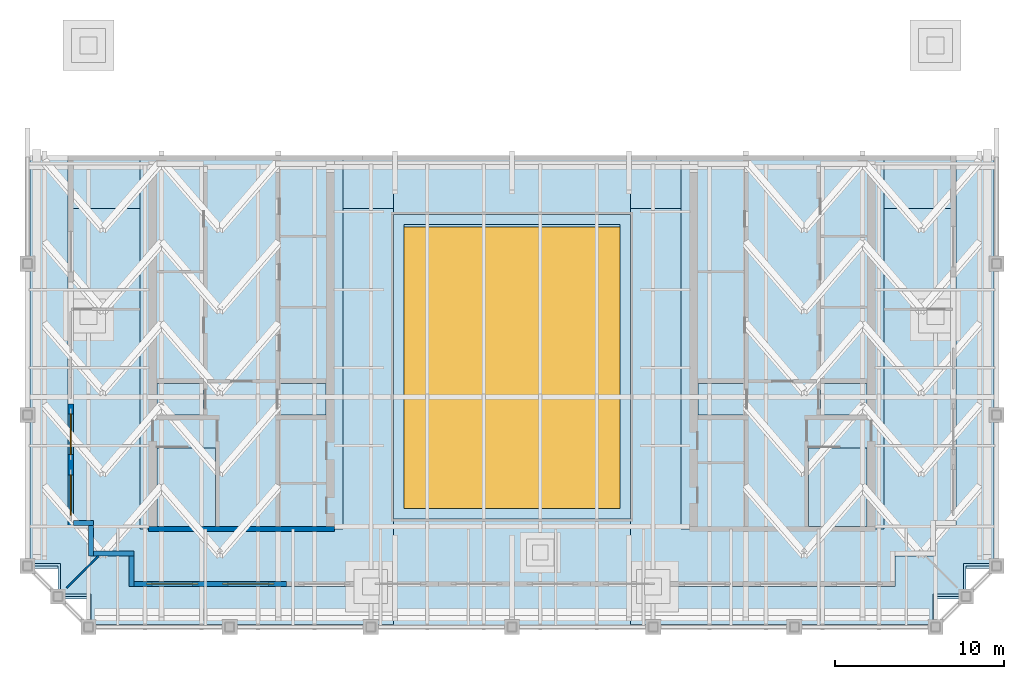
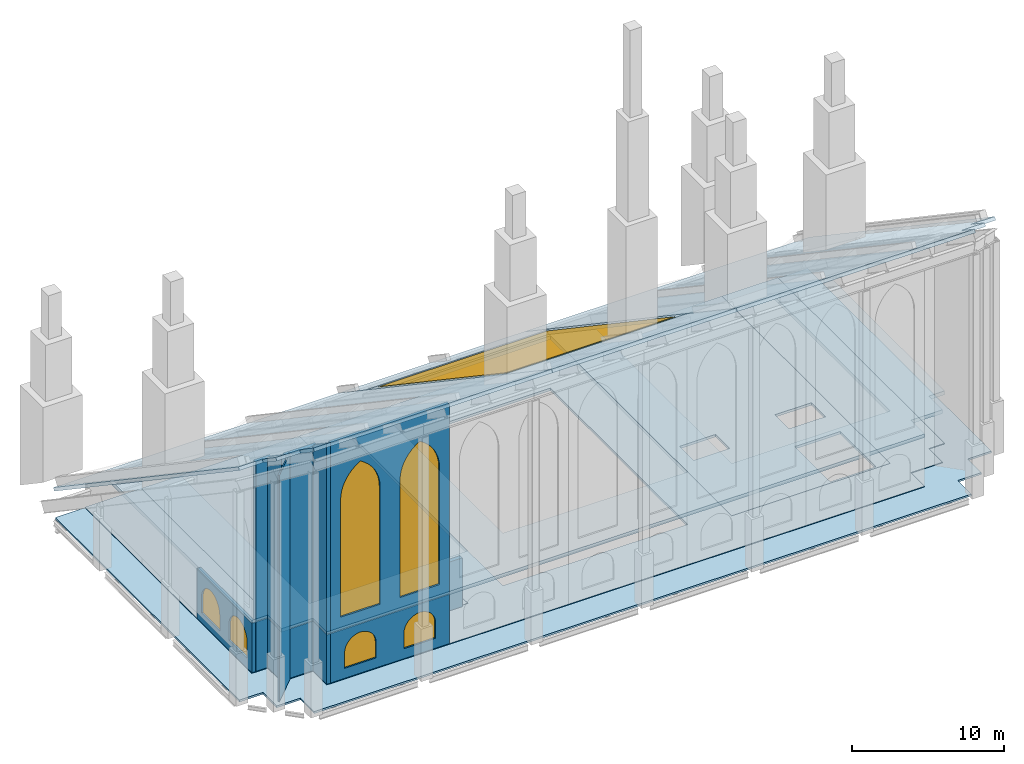
# One storey, part 3 of 9: 13 walls, 10 slabs, 7 windows, 7 openings.
"""IFC4 building model written with IfcOpenShell, lengths in metres."""

import ifcopenshell
import ifcopenshell.guid

model = None  # the IFC model being written
_history = None  # IfcOwnerHistory: only IFC2X3 demands one
_inside = {}  # id of a spatial element -> (the spatial element, [elements in it])
_under = {}  # id of a project, library or spatial element -> (it, [spatial elements below it])
_declared = {}  # id of a project -> (the project, [libraries it declares])
_typed = {}  # id of a type object -> (the type object, [elements of that type])
_made_of = {}  # id of a material, layer set ... -> (it, [elements and type objects made of it])


def new_model(schema):
    """Start an empty IFC model of exactly this schema.

    Asked for "IFC4X3", IfcOpenShell would pick the latest addendum, in which some entities
    have other attributes; the version numbers below select the first issue.
    IFC2X3 requires an IfcOwnerHistory on every rooted entity: one is made here for all.
    """
    global model, _history
    if schema == "IFC4X3":
        model = ifcopenshell.file(schema_version=(4, 3, 0, 0))
    else:
        model = ifcopenshell.file(schema=schema)
    _inside.clear()
    _under.clear()
    _declared.clear()
    _typed.clear()
    _made_of.clear()
    _history = None
    if model.schema == "IFC2X3":
        org = make("IfcOrganization", Name="unknown")
        user = make(
            "IfcPersonAndOrganization",
            ThePerson=make("IfcPerson", FamilyName="unknown"),
            TheOrganization=org,
        )
        app = make(
            "IfcApplication",
            ApplicationDeveloper=org,
            Version="unknown",
            ApplicationFullName="unknown",
            ApplicationIdentifier="unknown",
        )
        _history = make(
            "IfcOwnerHistory",
            OwningUser=user,
            OwningApplication=app,
            ChangeAction="ADDED",
            CreationDate=0,
        )
    return model


def make(cls, **values):
    """One entity of the class cls with the attributes given. An attribute that is None is left unset."""
    return model.create_entity(
        cls, **{name: value for name, value in values.items() if value is not None}
    )


def rooted(cls, **values):
    """An entity with a GlobalId (a new one), such as an element, a storey or a relation."""
    return make(cls, GlobalId=ifcopenshell.guid.new(), OwnerHistory=_history, **values)


def si_unit(unit_type, name, prefix=None):
    """IfcSIUnit, for example si_unit("LENGTHUNIT", "METRE", prefix="MILLI")."""
    return make("IfcSIUnit", UnitType=unit_type, Prefix=prefix, Name=name)


def assignment(units):
    """IfcUnitAssignment: the units of a project."""
    return None if units is None else make("IfcUnitAssignment", Units=units)


def point(xyz):
    """IfcCartesianPoint."""
    return None if xyz is None else make("IfcCartesianPoint", Coordinates=xyz)


def direction(xyz):
    """IfcDirection."""
    return None if xyz is None else make("IfcDirection", DirectionRatios=xyz)


def frame(location, z_axis=None, x_axis=None):
    """IfcAxis2Placement3D, a coordinate frame: its origin and axes. An axis left out is left unset."""
    return make(
        "IfcAxis2Placement3D",
        Location=point(location),
        Axis=direction(z_axis),
        RefDirection=direction(x_axis),
    )


def frame_2d(location, x_axis=None):
    """IfcAxis2Placement2D, a coordinate frame in the plane: its origin and x axis."""
    return make(
        "IfcAxis2Placement2D", Location=point(location), RefDirection=direction(x_axis)
    )


def origin():
    """The frame at (0, 0, 0) with its axes left unset."""
    return frame((0.0, 0.0, 0.0))


def origin_2d():
    """The frame at (0, 0) in the plane with its x axis left unset."""
    return frame_2d((0.0, 0.0))


def place(relative_to, where):
    """IfcLocalPlacement: puts the frame where relative to a parent placement (None: the world)."""
    return make(
        "IfcLocalPlacement", PlacementRelTo=relative_to, RelativePlacement=where
    )


def context(
    kind, dimensions, precision=None, world=None, true_north=None, identifier=None
):
    """IfcGeometricRepresentationContext, for example the 3D "Model" context."""
    return make(
        "IfcGeometricRepresentationContext",
        ContextIdentifier=identifier,
        ContextType=kind,
        CoordinateSpaceDimension=dimensions,
        Precision=precision,
        WorldCoordinateSystem=world,
        TrueNorth=true_north,
    )


def subcontext(parent, identifier, kind, view, scale=None):
    """IfcGeometricRepresentationSubContext, for example "Body" below "Model"."""
    return make(
        "IfcGeometricRepresentationSubContext",
        ContextIdentifier=identifier,
        ContextType=kind,
        ParentContext=parent,
        TargetScale=scale,
        TargetView=view,
    )


def project(units=None, contexts=None):
    """IfcProject with its units and contexts."""
    return rooted(
        "IfcProject",
        Name="project",
        RepresentationContexts=contexts,
        UnitsInContext=assignment(units),
    )


def spatial(cls, under=None, at=None, **own):
    """A site, building, storey or space (cls), placed at a placement, below another one or the project."""
    s = rooted(cls, ObjectPlacement=at, **own)
    if under is not None:
        _under.setdefault(under.id(), (under, []))[1].append(s)
    return s


def polyline(points):
    """IfcPolyline through the points."""
    return make("IfcPolyline", Points=[point(p) for p in points])


def profile(cls, at=None, kind="AREA", **sizes):
    """A parametric profile (cls). Its sizes go by their IFC names, for example OverallWidth=200.0."""
    return make(cls, ProfileType=kind, Position=at, **sizes)


def rectangle(**sizes):
    """IfcRectangleProfileDef."""
    return profile("IfcRectangleProfileDef", **sizes)


def outline(outer, holes=None, kind="AREA"):
    """IfcArbitraryClosedProfileDef: a profile drawn as a closed curve; with holes, ...WithVoids."""
    if holes is None:
        return make("IfcArbitraryClosedProfileDef", ProfileType=kind, OuterCurve=outer)
    return make(
        "IfcArbitraryProfileDefWithVoids",
        ProfileType=kind,
        OuterCurve=outer,
        InnerCurves=holes,
    )


def extrude(swept, where, along, depth):
    """IfcExtrudedAreaSolid: the profile swept, set in the frame where, extruded along a direction by depth."""
    return make(
        "IfcExtrudedAreaSolid",
        SweptArea=swept,
        Position=where,
        ExtrudedDirection=direction(along),
        Depth=depth,
    )


def shape(context_of_items, identifier, shape_type, items):
    """IfcShapeRepresentation: the items that make up one representation, for example the "Body"."""
    return make(
        "IfcShapeRepresentation",
        ContextOfItems=context_of_items,
        RepresentationIdentifier=identifier,
        RepresentationType=shape_type,
        Items=items,
    )


def material(Name=None, Category=None):
    """IfcMaterial."""
    return make("IfcMaterial", Name=Name, Category=Category)


def layer(
    of_material, thickness, ventilated=None, Name=None, Category=None, Priority=None
):
    """IfcMaterialLayer: one layer of a wall or slab, of a material (None: an air gap)."""
    return make(
        "IfcMaterialLayer",
        Material=of_material,
        LayerThickness=thickness,
        IsVentilated=ventilated,
        Name=Name,
        Category=Category,
        Priority=Priority,
    )


def layer_set(layers, Name=None):
    """IfcMaterialLayerSet."""
    return make("IfcMaterialLayerSet", MaterialLayers=layers, LayerSetName=Name)


def made_of(thing, what):
    """Note that an element or type object is made of a material, layer set ...; save() writes the relation."""
    if what is not None:
        _made_of.setdefault(what.id(), (what, []))[1].append(thing)
    return thing


def type_object(cls, material=None, **own):
    """A type object (cls), such as IfcWallType, which elements share."""
    return made_of(rooted(cls, **own), material)


def element(
    cls,
    number,
    at=None,
    inside=None,
    cuts=None,
    type_object=None,
    material=None,
    context=None,
    identifier="Body",
    shape_type=None,
    held_by="IfcProductDefinitionShape",
    body=None,
    shapes=None,
    **own,
):
    """One element of the class cls, such as IfcWall. Its Tag is "e" and its number.

    at: its placement. inside: the storey or other place that contains it. cuts: it is an
    opening in that element (IfcRelVoidsElement). A single representation is given by context,
    identifier, shape_type and body (its items); several are given by shapes. held_by: the class
    of the entity that holds the representations. save() writes the other relations.
    """
    e = rooted(cls, Tag="e%d" % number, ObjectPlacement=at, **own)
    if body is not None:
        shapes = [shape(context, identifier, shape_type, body)]
    if shapes is not None:
        e.Representation = make(held_by, Representations=shapes)
    if inside is not None:
        _inside.setdefault(inside.id(), (inside, []))[1].append(e)
    if cuts is not None:
        rooted(
            "IfcRelVoidsElement", RelatingBuildingElement=cuts, RelatedOpeningElement=e
        )
    if type_object is not None:
        _typed.setdefault(type_object.id(), (type_object, []))[1].append(e)
    return made_of(e, material)


def fill(opening, filler):
    """IfcRelFillsElement: the door or window that sits in an opening."""
    return rooted(
        "IfcRelFillsElement",
        RelatingOpeningElement=opening,
        RelatedBuildingElement=filler,
    )


def aggregate(whole, parts):
    """IfcRelAggregates: a whole, such as a stair, and the parts it consists of."""
    return rooted("IfcRelAggregates", RelatingObject=whole, RelatedObjects=parts)


def save(model, path):
    """Write the relations noted so far, then the file.

    IfcRelAggregates (storeys below a building ...), IfcRelContainedInSpatialStructure (elements
    in a storey), IfcRelDefinesByType, IfcRelAssociatesMaterial and IfcRelDeclares: one each for
    every whole, place, type object, material and project.
    """
    for whole, parts in _under.values():
        aggregate(whole, parts)
    for where, things in _inside.values():
        rooted(
            "IfcRelContainedInSpatialStructure",
            RelatedElements=things,
            RelatingStructure=where,
        )
    for kind, things in _typed.values():
        rooted("IfcRelDefinesByType", RelatedObjects=things, RelatingType=kind)
    for what, things in _made_of.values():
        rooted("IfcRelAssociatesMaterial", RelatedObjects=things, RelatingMaterial=what)
    for by, libraries in _declared.values():
        rooted("IfcRelDeclares", RelatingContext=by, RelatedDefinitions=libraries)
    model.write(path)


model = new_model("IFC4")

# Units and contexts
model_context = context("Model", 3, precision=1e-05, world=origin(), true_north=direction((0.0, 1.0)))
body_context = subcontext(model_context, "Body", "Model", "MODEL_VIEW")
ifc_project = project(units=[si_unit("LENGTHUNIT", "METRE"), si_unit("AREAUNIT", "SQUARE_METRE"), si_unit("VOLUMEUNIT", "CUBIC_METRE"), si_unit("PLANEANGLEUNIT", "RADIAN"), si_unit("MASSUNIT", "GRAM", prefix="KILO")], contexts=[model_context])

# Site, building, storey
site_placement = place(None, origin())
site = spatial("IfcSite", under=ifc_project, at=site_placement, CompositionType="ELEMENT")
building_placement = place(site_placement, origin())
building = spatial("IfcBuilding", under=site, at=building_placement, Name="Ogive Exchange Tower", CompositionType="ELEMENT")
storey_placement = place(building_placement, frame((0.0, 0.0, 394.199951171875)))
storey = spatial("IfcBuildingStorey", under=building, at=storey_placement, Name="C07", CompositionType="ELEMENT", Elevation=394.199951171875)

# Slabs
ifc_material_1 = material(Name="Concrete C50/60", Category="concrete")
ifc_layer_1 = layer(ifc_material_1, 0.199951171875)
ifc_layer_set_1 = layer_set([ifc_layer_1], Name="Composite floor slab 200")
slab_type_1 = type_object("IfcSlabType", Name="Composite floor slab 200", PredefinedType="FLOOR", material=ifc_layer_set_1)
slab_1_placement = place(storey_placement, frame((0.0, 0.0, -0.199951171875)))
element("IfcSlab", 1, at=slab_1_placement, inside=storey, type_object=slab_type_1, Name="Composite floor slab", PredefinedType="FLOOR", context=body_context, shape_type="SweptSolid", body=[
    extrude(outline(polyline([(-24.449951171875, -2.39990234375), (-24.449951171875, -2.39990234375), (-26.25, -2.39990234375), (-26.25, 19.494140625), (-22.0, 19.494140625), (-22.0, -2.60009765625), (-10.0, -2.60009765625), (-10.0, 19.494140625), (10.0, 19.494140625), (10.0, -2.60009765625), (22.0, -2.60009765625), (22.0, 19.494140625), (26.25, 19.494140625), (26.25, -2.39990234375), (24.449951171875, -2.39990234375), (24.449951171875, -2.39990234375), (25.050048828125, -2.39990234375), (25.050048828125, -4.199951171875), (24.449951171875, -4.199951171875), (24.449951171875, -4.199951171875), (22.64990234375, -4.199951171875), (22.64990234375, -6.0), (-22.64990234375, -6.0), (-22.64990234375, -4.199951171875), (-24.449951171875, -4.199951171875), (-24.449951171875, -4.199951171875), (-25.050048828125, -4.199951171875), (-25.050048828125, -2.39990234375), (-24.449951171875, -2.39990234375)]), holes=[polyline([(7.0, -2.0), (7.0, 16.0), (-7.0, 16.0), (-7.0, -2.0), (7.0, -2.0)])]), origin(), (0.0, 0.0, 1.0), 0.199951171875),
])
ifc_material_2 = material(Name="Concrete C70/85", Category="concrete")
ifc_layer_2 = layer(ifc_material_2, 0.199951171875)
ifc_layer_set_2 = layer_set([ifc_layer_2], Name="Core floor slab 200")
slab_type_2 = type_object("IfcSlabType", Name="Core floor slab 200", PredefinedType="FLOOR", material=ifc_layer_set_2)
slab_2_placement = place(storey_placement, frame((0.0, 0.0, -0.199951171875)))
element("IfcSlab", 2, at=slab_2_placement, inside=storey, type_object=slab_type_2, Name="Core floor slab", PredefinedType="FLOOR", context=body_context, shape_type="SweptSolid", body=[
    extrude(outline(polyline([(-22.0, -2.60009765625), (-22.0, 19.494140625), (-10.0, 19.494140625), (-10.0, -2.60009765625), (-22.0, -2.60009765625)]), holes=[polyline([(-21.0, 2.196044921875), (-21.0, -2.449951171875), (-17.550048828125, -2.449951171875), (-17.550048828125, 2.196044921875), (-21.0, 2.196044921875)]), polyline([(-21.0, 5.992919921875), (-21.0, 4.14990234375), (-18.25, 4.14990234375), (-18.25, 5.992919921875), (-21.0, 5.992919921875)]), polyline([(-13.75, 5.992919921875), (-13.75, 4.14990234375), (-11.0, 4.14990234375), (-11.0, 5.992919921875), (-13.75, 5.992919921875)])]), origin(), (0.0, 0.0, 1.0), 0.199951171875),
])
slab_3_placement = place(storey_placement, frame((0.0, 0.0, -0.199951171875)))
element("IfcSlab", 3, at=slab_3_placement, inside=storey, type_object=slab_type_2, Name="Core floor slab", PredefinedType="FLOOR", context=body_context, shape_type="SweptSolid", body=[
    extrude(outline(polyline([(10.0, -2.60009765625), (10.0, 19.494140625), (22.0, 19.494140625), (22.0, -2.60009765625), (10.0, -2.60009765625)]), holes=[polyline([(17.550048828125, 2.196044921875), (17.550048828125, -2.449951171875), (21.0, -2.449951171875), (21.0, 2.196044921875), (17.550048828125, 2.196044921875)]), polyline([(11.0, 5.992919921875), (11.0, 4.14990234375), (13.75, 4.14990234375), (13.75, 5.992919921875), (11.0, 5.992919921875)]), polyline([(18.25, 5.992919921875), (18.25, 4.14990234375), (21.0, 4.14990234375), (21.0, 5.992919921875), (18.25, 5.992919921875)])]), origin(), (0.0, 0.0, 1.0), 0.199951171875),
])

# Slab, opening, window
ifc_material_3 = material(Name="Laminated safety glass", Category="glass")
ifc_layer_3 = layer(ifc_material_3, 0.25)
ifc_layer_set_3 = layer_set([ifc_layer_3], Name="Crown glazed roof 250")
slab_type_3 = type_object("IfcSlabType", Name="Crown glazed roof 250", PredefinedType="ROOF", material=ifc_layer_set_3)
slab_4_placement = place(storey_placement, frame((-7.0, -2.0, 16.89794921875), z_axis=(0.0, 0.559191636552, 0.829038427101), x_axis=(0.0, 0.829038427101, -0.559191636552)))
slab_4 = element("IfcSlab", 4, at=slab_4_placement, inside=storey, type_object=slab_type_3, Name="Crown glazed roof", PredefinedType="ROOF", context=body_context, shape_type="SweptSolid", body=[
    extrude(outline(polyline([(0.0, 0.0), (21.71190069312554, 0.0), (21.71190069312554, -14.0), (0.0, -14.0), (0.0, 0.0)])), origin(), (0.0, 0.0, -1.0), 0.25),
])
opening_1_placement = place(slab_4_placement, frame((10.85595703125, -7.0, 0.0), x_axis=(0.0, -1.0, 0.0)))
opening_1 = element("IfcOpeningElement", 5, at=opening_1_placement, cuts=slab_4, Name="Opening SK2", PredefinedType="OPENING", context=body_context, shape_type="SweptSolid", body=[
    extrude(rectangle(XDim=12.800048828125, YDim=20.264404296875, at=origin_2d()), frame((0.0, 0.0, -0.260009765625)), (0.0, 0.0, 1.0), 0.27001953125),
])
ifc_material_4 = material(Name="Laminated clear glass in bronze frame", Category="glass")
ifc_layer_4 = layer(ifc_material_4, 0.06005859375)
ifc_layer_set_4 = layer_set([ifc_layer_4], Name="Crown nave skylight")
window_type_1 = type_object("IfcWindowType", Name="Crown nave skylight", PartitioningType="SINGLE_PANEL", PredefinedType="SKYLIGHT", material=ifc_layer_set_4)
window_1_placement = place(opening_1_placement, frame((0.0, 0.0, -0.06005859375)))
window_1 = element("IfcWindow", 6, at=window_1_placement, inside=storey, type_object=window_type_1, Name="Crown skylight 11", OverallHeight=20.264404296875, OverallWidth=12.800048828125, PartitioningType="SINGLE_PANEL", PredefinedType="SKYLIGHT", context=body_context, shape_type="SweptSolid", body=[
    extrude(rectangle(XDim=12.800048828125, YDim=20.264404296875, at=origin_2d()), origin(), (0.0, 0.0, 1.0), 0.06005859375),
])
fill(opening_1, window_1)

# Slabs
ifc_material_5 = material(Name="Precast concrete C40/50", Category="concrete")
ifc_layer_5 = layer(ifc_material_5, 0.25)
ifc_layer_set_5 = layer_set([ifc_layer_5], Name="Crown roof plane 250")
slab_type_4 = type_object("IfcSlabType", Name="Crown roof plane 250", PredefinedType="ROOF", material=ifc_layer_set_5)
slab_5_placement = place(storey_placement, frame((-25.050048828125, -8.39990234375, 21.21484375), z_axis=(-2.15527e-06, 0.55919102549, 0.829038839263), x_axis=(-1.1e-10, 0.829038839265, -0.559191025492)))
element("IfcSlab", 7, at=slab_5_placement, inside=storey, type_object=slab_type_4, Name="Crown roof plane", PredefinedType="ROOF", context=body_context, shape_type="SweptSolid", body=[
    extrude(outline(polyline([(0.0, 0.0), (2.17102814766367, 0.0), (2.1710281478616986, 1.8000488281208191), (4.342258697585736, 1.8000488278265567), (4.342258697783738, 3.5998535153223767), (33.646254863891954, 3.5998535119502235), (33.64625486151018, -18.050048831749496), (-1.9857390357425106e-09, -18.050048828083078), (0.0, 0.0)])), origin(), (0.0, 0.0, -1.0), 0.25),
])
slab_6_placement = place(storey_placement, frame((-7.0, -8.39990234375, 21.21484375), z_axis=(0.0, 0.559202331335, 0.829031213302), x_axis=(0.0, 0.829031213302, -0.559202331335)))
element("IfcSlab", 8, at=slab_6_placement, inside=storey, type_object=slab_type_4, Name="Crown roof plane", PredefinedType="ROOF", context=body_context, shape_type="SweptSolid", body=[
    extrude(outline(polyline([(0.0, 0.0), (7.719736291057675, 0.0), (7.719736291057675, -14.0), (0.0, -14.0), (0.0, 0.0)])), origin(), (0.0, 0.0, -1.0), 0.25),
])
slab_7_placement = place(storey_placement, frame((7.0, 19.494140625, 2.400146484375), z_axis=(0.0, 0.559170373086, 0.829052769046), x_axis=(0.0, -0.829052769046, 0.559170373086)))
element("IfcSlab", 9, at=slab_7_placement, inside=storey, type_object=slab_type_4, Name="Crown roof plane", PredefinedType="ROOF", context=body_context, shape_type="SweptSolid", body=[
    extrude(outline(polyline([(0.0, 0.0), (4.214617881344168, 0.0), (4.214617881344168, -14.0), (0.0, -14.0), (0.0, 0.0)])), origin(), (0.0, 0.0, -1.0), 0.25),
])
slab_8_placement = place(storey_placement, frame((26.85009765625, -6.60009765625, 20.000732421875), z_axis=(2.15527e-06, 0.55919102549, 0.829038839263), x_axis=(-0.999999999998, 1.205207e-06, 1.786802e-06)))
element("IfcSlab", 10, at=slab_8_placement, inside=storey, type_object=slab_type_4, Name="Crown roof plane", PredefinedType="ROOF", context=body_context, shape_type="SweptSolid", body=[
    extrude(outline(polyline([(0.0, 0.0), (1.8000488281208191, 0.0), (1.8000488283596605, 2.17102814766367), (19.85009765644274, 2.17102814766367), (19.85009765640763, -31.47522671583225), (-1.7998046872920865, -31.47522671583225), (-1.799804687440421, -2.1712305497240374), (5.539889381711536e-11, -2.1712305497240374), (0.0, 0.0)])), origin(), (0.0, 0.0, -1.0), 0.25),
])
ifc_layer_6 = layer(ifc_material_1, 0.300048828125)
ifc_layer_set_6 = layer_set([ifc_layer_6], Name="Crown top slab 300")
slab_type_5 = type_object("IfcSlabType", Name="Crown top slab 300", PredefinedType="FLOOR", material=ifc_layer_set_6)
slab_9_placement = place(storey_placement, frame((0.0, 0.0, 3.900146484375)))
element("IfcSlab", 11, at=slab_9_placement, inside=storey, type_object=slab_type_5, Name="Crown top slab", PredefinedType="FLOOR", context=body_context, shape_type="SweptSolid", body=[
    extrude(outline(polyline([(-24.449951171875, -2.39990234375), (-26.25, -2.39990234375), (-26.25, 16.348876953125), (-22.0, 16.348876953125), (-22.0, -2.60009765625), (-10.0, -2.60009765625), (-10.0, 16.348876953125), (10.0, 16.348876953125), (10.0, -2.60009765625), (22.0, -2.60009765625), (22.0, 16.348876953125), (26.25, 16.348876953125), (26.25, -2.39990234375), (24.449951171875, -2.39990234375), (24.449951171875, -2.39990234375), (25.050048828125, -2.39990234375), (25.050048828125, -4.199951171875), (24.449951171875, -4.199951171875), (24.449951171875, -4.199951171875), (22.64990234375, -4.199951171875), (22.64990234375, -6.0), (-22.64990234375, -6.0), (-22.64990234375, -4.199951171875), (-24.449951171875, -4.199951171875), (-24.449951171875, -4.199951171875), (-25.050048828125, -4.199951171875), (-25.050048828125, -2.39990234375), (-24.449951171875, -2.39990234375), (-24.449951171875, -2.39990234375)]), holes=[polyline([(7.0, 16.0), (-7.0, 16.0), (-7.0, -2.0), (7.0, -2.0), (7.0, 16.0)])]), origin(), (0.0, 0.0, 1.0), 0.2998046875),
])
ifc_layer_7 = layer(ifc_material_1, 0.14990234375)
ifc_layer_set_7 = layer_set([ifc_layer_7], Name="Loggia deck 150")
slab_type_6 = type_object("IfcSlabType", Name="Loggia deck 150", PredefinedType="FLOOR", material=ifc_layer_set_7)
slab_10_placement = place(storey_placement, frame((0.0, 0.0, -0.199951171875)))
element("IfcSlab", 12, at=slab_10_placement, inside=storey, type_object=slab_type_6, Name="Loggia deck", PredefinedType="FLOOR", context=body_context, shape_type="SweptSolid", body=[
    extrude(outline(polyline([(-26.695068359375, -4.64501953125), (-28.4951171875, -4.64501953125), (-28.4951171875, 19.494140625), (-26.25, 19.494140625), (-26.25, -2.39990234375), (-24.449951171875, -2.39990234375), (-24.449951171875, -2.39990234375), (-25.050048828125, -2.39990234375), (-25.050048828125, -4.199951171875), (-24.449951171875, -4.199951171875), (-24.449951171875, -4.199951171875), (-22.64990234375, -4.199951171875), (-22.64990234375, -6.0), (22.64990234375, -6.0), (22.64990234375, -4.199951171875), (24.449951171875, -4.199951171875), (24.449951171875, -4.199951171875), (25.050048828125, -4.199951171875), (25.050048828125, -2.39990234375), (24.449951171875, -2.39990234375), (24.449951171875, -2.39990234375), (26.25, -2.39990234375), (26.25, 19.494140625), (28.4951171875, 19.494140625), (28.4951171875, -4.64501953125), (26.695068359375, -4.64501953125), (26.695068359375, -6.445068359375), (24.89501953125, -6.445068359375), (24.89501953125, -8.2451171875), (-24.89501953125, -8.2451171875), (-24.89501953125, -6.445068359375), (-26.695068359375, -6.445068359375), (-26.695068359375, -4.64501953125)])), origin(), (0.0, 0.0, 1.0), 0.14990234375),
])

# Walls
ifc_material_6 = material(Name="Laminated safety glass in steel frame", Category="steel")
ifc_layer_8 = layer(ifc_material_6, 0.10009765625)
ifc_layer_set_8 = layer_set([ifc_layer_8], Name="Loggia end screen 100")
wall_type_1 = type_object("IfcWallType", Name="Loggia end screen 100", PredefinedType="STANDARD", material=ifc_layer_set_8)
wall_1_placement = place(storey_placement, frame((-24.449951171875, -4.199951171875, -0.050048828125), z_axis=(0.0, 0.0, 1.0), x_axis=(-0.707106781187, -0.707106781187, 0.0)))
element("IfcWall", 13, at=wall_1_placement, inside=storey, type_object=wall_type_1, Name="Loggia end screen C4", PredefinedType="STANDARD", context=body_context, shape_type="SweptSolid", body=[
    extrude(rectangle(XDim=2.667236328125, YDim=0.10009765625, at=frame_2d((1.33349609375, 0.0))), origin(), (0.0, 0.0, 1.0), 18.13037109375),
])
ifc_layer_9 = layer(ifc_material_2, 0.300048828125)
ifc_layer_set_9 = layer_set([ifc_layer_9], Name="RC core wall 300 C70/85")
wall_type_2 = type_object("IfcWallType", Name="RC core wall 300 C70/85", PredefinedType="SHEAR", material=ifc_layer_set_9)
wall_2_placement = place(storey_placement, frame((-21.5, -2.60009765625, 0.0), z_axis=(0.0, 0.0, 1.0), x_axis=(1.0, 0.0, 0.0)))
element("IfcWall", 14, at=wall_2_placement, inside=storey, type_object=wall_type_2, Name="W south end wall", PredefinedType="SHEAR", context=body_context, shape_type="SweptSolid", body=[
    extrude(rectangle(XDim=11.0, YDim=0.300048828125, at=frame_2d((5.5, 0.0))), origin(), (0.0, 0.0, 1.0), 3.900146484375),
])
ifc_layer_10 = layer(ifc_material_5, 0.300048828125)
ifc_layer_set_10 = layer_set([ifc_layer_10], Name="Zinc-clad crown wall 300")
wall_type_3 = type_object("IfcWallType", Name="Zinc-clad crown wall 300", PredefinedType="STANDARD", material=ifc_layer_set_10)
wall_3_placement = place(storey_placement, frame((-24.89990234375, -2.39990234375, 0.0), z_axis=(0.0, 0.0, 1.0), x_axis=(0.0, -1.0, 0.0)))
element("IfcWall", 15, at=wall_3_placement, inside=storey, type_object=wall_type_3, Name="Crown wall 1", PredefinedType="STANDARD", context=body_context, shape_type="SweptSolid", body=[
    extrude(rectangle(XDim=1.800048828125, YDim=0.300048828125, at=frame_2d((0.89990234375, 0.0))), origin(), (0.0, 0.0, 1.0), 4.0),
])
wall_4_placement = place(storey_placement, frame((-24.89990234375, -2.39990234375, 4.0), z_axis=(0.0, 0.0, 1.0), x_axis=(0.0, -1.0, 0.0)))
element("IfcWall", 16, at=wall_4_placement, inside=storey, type_object=wall_type_3, Name="Crown clerestory wall 1", PredefinedType="STANDARD", context=body_context, shape_type="SweptSolid", body=[
    extrude(outline(polyline([(0.0, 0.0), (1.800048828125, 0.0), (1.800048828125, 14.080322265625), (0.0, 12.8662109375), (0.0, 0.0)])), frame((0.0, 0.14990234375, 0.0), z_axis=(0.0, -1.0, 0.0), x_axis=(1.0, 0.0, 0.0)), (0.0, 0.0, 1.0), 0.300048828125),
])
wall_5_placement = place(storey_placement, frame((-24.75, -4.050048828125, 0.0), z_axis=(0.0, 0.0, 1.0), x_axis=(1.0, 0.0, 0.0)))
element("IfcWall", 17, at=wall_5_placement, inside=storey, type_object=wall_type_3, Name="Crown wall 2", PredefinedType="STANDARD", context=body_context, shape_type="SweptSolid", body=[
    extrude(rectangle(XDim=2.39990234375, YDim=0.300048828125, at=frame_2d((1.199951171875, 0.0))), origin(), (0.0, 0.0, 1.0), 4.0),
])
wall_6_placement = place(storey_placement, frame((-24.75, -4.050048828125, 4.0), z_axis=(0.0, 0.0, 1.0), x_axis=(1.0, 0.0, 0.0)))
element("IfcWall", 18, at=wall_6_placement, inside=storey, type_object=wall_type_3, Name="Crown clerestory wall 2", PredefinedType="STANDARD", context=body_context, shape_type="SweptSolid", body=[
    extrude(rectangle(XDim=2.39990234375, YDim=0.300048828125, at=frame_2d((1.199951171875, 0.0))), origin(), (0.0, 0.0, 1.0), 13.979248046875),
])
wall_7_placement = place(storey_placement, frame((-22.5, -4.199951171875, 0.0), z_axis=(0.0, 0.0, 1.0), x_axis=(0.0, -1.0, 0.0)))
element("IfcWall", 19, at=wall_7_placement, inside=storey, type_object=wall_type_3, Name="Crown wall 3", PredefinedType="STANDARD", context=body_context, shape_type="SweptSolid", body=[
    extrude(rectangle(XDim=1.800048828125, YDim=0.300048828125, at=frame_2d((0.89990234375, 0.0))), origin(), (0.0, 0.0, 1.0), 4.0),
])
wall_8_placement = place(storey_placement, frame((-22.5, -4.199951171875, 4.0), z_axis=(0.0, 0.0, 1.0), x_axis=(0.0, -1.0, 0.0)))
element("IfcWall", 20, at=wall_8_placement, inside=storey, type_object=wall_type_3, Name="Crown clerestory wall 3", PredefinedType="STANDARD", context=body_context, shape_type="SweptSolid", body=[
    extrude(outline(polyline([(0.0, 0.0), (1.800048828125, 0.0), (1.800048828125, 15.29443359375), (0.0, 14.080322265625), (0.0, 0.0)])), frame((0.0, 0.14990234375, 0.0), z_axis=(0.0, -1.0, 0.0), x_axis=(1.0, 0.0, 0.0)), (0.0, 0.0, 1.0), 0.300048828125),
])

# Wall, openings, windows
wall_9_placement = place(storey_placement, frame((-22.35009765625, -5.85009765625, 0.0), z_axis=(0.0, 0.0, 1.0), x_axis=(1.0, 0.0, 0.0)))
wall_9 = element("IfcWall", 21, at=wall_9_placement, inside=storey, type_object=wall_type_3, Name="Crown wall 4", PredefinedType="STANDARD", context=body_context, shape_type="SweptSolid", body=[
    extrude(rectangle(XDim=9.0, YDim=0.300048828125, at=frame_2d((4.5, 0.0))), origin(), (0.0, 0.0, 1.0), 4.0),
])
opening_2_placement = place(wall_9_placement, frame((1.050048828125, 0.0, 0.800048828125)))
opening_2 = element("IfcOpeningElement", 22, at=opening_2_placement, cuts=wall_9, Name="Opening WC25", PredefinedType="OPENING", context=body_context, shape_type="SweptSolid", body=[
    extrude(outline(polyline([(0.0, 0.0), (2.39990234375, 0.0), (2.39990234375, 1.25), (2.377197265625, 1.48779296875), (2.3095703125, 1.717041015625), (2.19970703125, 1.928955078125), (2.05126953125, 2.116455078125), (1.8701171875, 2.272216796875), (1.662841796875, 2.390625), (1.4365234375, 2.467529296875), (1.199951171875, 2.5), (0.96337890625, 2.467529296875), (0.737060546875, 2.390625), (0.52978515625, 2.272216796875), (0.3486328125, 2.116455078125), (0.2001953125, 1.928955078125), (0.09033203125, 1.717041015625), (0.022705078125, 1.48779296875), (0.0, 1.25), (0.0, 0.0)])), frame((0.0, 0.159912109375, 0.0), z_axis=(0.0, -1.0, 0.0), x_axis=(1.0, 0.0, 0.0)), (0.0, 0.0, 1.0), 0.320068359375),
])
opening_3_placement = place(wall_9_placement, frame((5.550048828125, 0.0, 0.800048828125)))
opening_3 = element("IfcOpeningElement", 23, at=opening_3_placement, cuts=wall_9, Name="Opening WC25", PredefinedType="OPENING", context=body_context, shape_type="SweptSolid", body=[
    extrude(outline(polyline([(0.0, 0.0), (2.39990234375, 0.0), (2.39990234375, 1.25), (2.377197265625, 1.48779296875), (2.3095703125, 1.717041015625), (2.19970703125, 1.928955078125), (2.05126953125, 2.116455078125), (1.8701171875, 2.272216796875), (1.662841796875, 2.390625), (1.4365234375, 2.467529296875), (1.199951171875, 2.5), (0.96337890625, 2.467529296875), (0.737060546875, 2.390625), (0.52978515625, 2.272216796875), (0.3486328125, 2.116455078125), (0.2001953125, 1.928955078125), (0.09033203125, 1.717041015625), (0.022705078125, 1.48779296875), (0.0, 1.25), (0.0, 0.0)])), frame((0.0, 0.159912109375, 0.0), z_axis=(0.0, -1.0, 0.0), x_axis=(1.0, 0.0, 0.0)), (0.0, 0.0, 1.0), 0.320068359375),
])
ifc_material_7 = material(Name="Clear glass in bronze frame", Category="glass")
window_type_2 = type_object("IfcWindowType", Name="Crown lancet window 2400 x 2500", PartitioningType="DOUBLE_PANEL_VERTICAL", PredefinedType="WINDOW", material=ifc_material_7)
window_2_placement = place(opening_2_placement, origin())
window_2 = element("IfcWindow", 24, at=window_2_placement, inside=storey, type_object=window_type_2, Name="Crown lancet 4.1", OverallHeight=2.5, OverallWidth=2.39990234375, PartitioningType="DOUBLE_PANEL_VERTICAL", PredefinedType="WINDOW", context=body_context, shape_type="SweptSolid", body=[
    extrude(outline(polyline([(0.0, 0.0), (2.39990234375, 0.0), (2.39990234375, 1.25), (2.377197265625, 1.48779296875), (2.3095703125, 1.717041015625), (2.19970703125, 1.928955078125), (2.05126953125, 2.116455078125), (1.8701171875, 2.272216796875), (1.662841796875, 2.390625), (1.4365234375, 2.467529296875), (1.199951171875, 2.5), (0.96337890625, 2.467529296875), (0.737060546875, 2.390625), (0.52978515625, 2.272216796875), (0.3486328125, 2.116455078125), (0.2001953125, 1.928955078125), (0.09033203125, 1.717041015625), (0.022705078125, 1.48779296875), (0.0, 1.25), (0.0, 0.0)])), frame((0.0, 0.030029296875, 0.0), z_axis=(0.0, -1.0, 0.0), x_axis=(1.0, 0.0, 0.0)), (0.0, 0.0, 1.0), 0.06005859375),
])
fill(opening_2, window_2)
window_3_placement = place(opening_3_placement, origin())
window_3 = element("IfcWindow", 25, at=window_3_placement, inside=storey, type_object=window_type_2, Name="Crown lancet 4.2", OverallHeight=2.5, OverallWidth=2.39990234375, PartitioningType="DOUBLE_PANEL_VERTICAL", PredefinedType="WINDOW", context=body_context, shape_type="SweptSolid", body=[
    extrude(outline(polyline([(0.0, 0.0), (2.39990234375, 0.0), (2.39990234375, 1.25), (2.377197265625, 1.48779296875), (2.3095703125, 1.717041015625), (2.19970703125, 1.928955078125), (2.05126953125, 2.116455078125), (1.8701171875, 2.272216796875), (1.662841796875, 2.390625), (1.4365234375, 2.467529296875), (1.199951171875, 2.5), (0.96337890625, 2.467529296875), (0.737060546875, 2.390625), (0.52978515625, 2.272216796875), (0.3486328125, 2.116455078125), (0.2001953125, 1.928955078125), (0.09033203125, 1.717041015625), (0.022705078125, 1.48779296875), (0.0, 1.25), (0.0, 0.0)])), frame((0.0, 0.030029296875, 0.0), z_axis=(0.0, -1.0, 0.0), x_axis=(1.0, 0.0, 0.0)), (0.0, 0.0, 1.0), 0.06005859375),
])
fill(opening_3, window_3)

wall_10_placement = place(storey_placement, frame((-22.35009765625, -5.85009765625, 4.0), z_axis=(0.0, 0.0, 1.0), x_axis=(1.0, 0.0, 0.0)))
wall_10 = element("IfcWall", 26, at=wall_10_placement, inside=storey, type_object=wall_type_3, Name="Crown clerestory wall 4", PredefinedType="STANDARD", context=body_context, shape_type="SweptSolid", body=[
    extrude(rectangle(XDim=9.0, YDim=0.300048828125, at=frame_2d((4.5, 0.0))), origin(), (0.0, 0.0, 1.0), 15.193359375),
])
opening_4_placement = place(wall_10_placement, frame((0.75, 0.0, 1.0)))
opening_4 = element("IfcOpeningElement", 27, at=opening_4_placement, cuts=wall_10, Name="Opening WC120", PredefinedType="OPENING", context=body_context, shape_type="SweptSolid", body=[
    extrude(outline(polyline([(0.0, 0.0), (3.0, 0.0), (3.0, 9.402099609375), (2.974365234375, 9.793701171875), (2.897705078125, 10.178466796875), (2.771728515625, 10.550048828125), (2.59814453125, 10.902099609375), (2.380126953125, 11.228271484375), (2.121337890625, 11.523193359375), (1.826171875, 11.781982421875), (1.5, 12.0), (1.173828125, 11.781982421875), (0.878662109375, 11.523193359375), (0.619873046875, 11.228271484375), (0.40185546875, 10.902099609375), (0.228271484375, 10.550048828125), (0.102294921875, 10.178466796875), (0.025634765625, 9.793701171875), (0.0, 9.402099609375), (0.0, 0.0)])), frame((0.0, 0.159912109375, 0.0), z_axis=(0.0, -1.0, 0.0), x_axis=(1.0, 0.0, 0.0)), (0.0, 0.0, 1.0), 0.320068359375),
])
opening_5_placement = place(wall_10_placement, frame((5.25, 0.0, 1.0)))
opening_5 = element("IfcOpeningElement", 28, at=opening_5_placement, cuts=wall_10, Name="Opening WC120", PredefinedType="OPENING", context=body_context, shape_type="SweptSolid", body=[
    extrude(outline(polyline([(0.0, 0.0), (3.0, 0.0), (3.0, 9.402099609375), (2.974365234375, 9.793701171875), (2.897705078125, 10.178466796875), (2.771728515625, 10.550048828125), (2.59814453125, 10.902099609375), (2.380126953125, 11.228271484375), (2.121337890625, 11.523193359375), (1.826171875, 11.781982421875), (1.5, 12.0), (1.173828125, 11.781982421875), (0.878662109375, 11.523193359375), (0.619873046875, 11.228271484375), (0.40185546875, 10.902099609375), (0.228271484375, 10.550048828125), (0.102294921875, 10.178466796875), (0.025634765625, 9.793701171875), (0.0, 9.402099609375), (0.0, 0.0)])), frame((0.0, 0.159912109375, 0.0), z_axis=(0.0, -1.0, 0.0), x_axis=(1.0, 0.0, 0.0)), (0.0, 0.0, 1.0), 0.320068359375),
])
window_type_3 = type_object("IfcWindowType", Name="Crown lancet window 3000 x 12000", PartitioningType="DOUBLE_PANEL_VERTICAL", PredefinedType="WINDOW", material=ifc_material_7)
window_4_placement = place(opening_4_placement, origin())
window_4 = element("IfcWindow", 29, at=window_4_placement, inside=storey, type_object=window_type_3, Name="Crown lancet 4.1", OverallHeight=12.0, OverallWidth=3.0, PartitioningType="DOUBLE_PANEL_VERTICAL", PredefinedType="WINDOW", context=body_context, shape_type="SweptSolid", body=[
    extrude(outline(polyline([(0.0, 0.0), (3.0, 0.0), (3.0, 9.402099609375), (2.974365234375, 9.793701171875), (2.897705078125, 10.178466796875), (2.771728515625, 10.550048828125), (2.59814453125, 10.902099609375), (2.380126953125, 11.228271484375), (2.121337890625, 11.523193359375), (1.826171875, 11.781982421875), (1.5, 12.0), (1.173828125, 11.781982421875), (0.878662109375, 11.523193359375), (0.619873046875, 11.228271484375), (0.40185546875, 10.902099609375), (0.228271484375, 10.550048828125), (0.102294921875, 10.178466796875), (0.025634765625, 9.793701171875), (0.0, 9.402099609375), (0.0, 0.0)])), frame((0.0, 0.030029296875, 0.0), z_axis=(0.0, -1.0, 0.0), x_axis=(1.0, 0.0, 0.0)), (0.0, 0.0, 1.0), 0.06005859375),
])
fill(opening_4, window_4)
window_5_placement = place(opening_5_placement, origin())
window_5 = element("IfcWindow", 30, at=window_5_placement, inside=storey, type_object=window_type_3, Name="Crown lancet 4.2", OverallHeight=12.0, OverallWidth=3.0, PartitioningType="DOUBLE_PANEL_VERTICAL", PredefinedType="WINDOW", context=body_context, shape_type="SweptSolid", body=[
    extrude(outline(polyline([(0.0, 0.0), (3.0, 0.0), (3.0, 9.402099609375), (2.974365234375, 9.793701171875), (2.897705078125, 10.178466796875), (2.771728515625, 10.550048828125), (2.59814453125, 10.902099609375), (2.380126953125, 11.228271484375), (2.121337890625, 11.523193359375), (1.826171875, 11.781982421875), (1.5, 12.0), (1.173828125, 11.781982421875), (0.878662109375, 11.523193359375), (0.619873046875, 11.228271484375), (0.40185546875, 10.902099609375), (0.228271484375, 10.550048828125), (0.102294921875, 10.178466796875), (0.025634765625, 9.793701171875), (0.0, 9.402099609375), (0.0, 0.0)])), frame((0.0, 0.030029296875, 0.0), z_axis=(0.0, -1.0, 0.0), x_axis=(1.0, 0.0, 0.0)), (0.0, 0.0, 1.0), 0.06005859375),
])
fill(opening_5, window_5)

wall_11_placement = place(storey_placement, frame((-26.10009765625, 4.798095703125, 0.0), z_axis=(0.0, 0.0, 1.0), x_axis=(0.0, -1.0, 0.0)))
wall_11 = element("IfcWall", 31, at=wall_11_placement, inside=storey, type_object=wall_type_3, Name="Crown wall 24", PredefinedType="STANDARD", context=body_context, shape_type="SweptSolid", body=[
    extrude(rectangle(XDim=7.197998046875, YDim=0.300048828125, at=frame_2d((3.59912109375, 0.0))), origin(), (0.0, 0.0, 1.0), 4.0),
])
opening_6_placement = place(wall_11_placement, frame((0.599609375, 0.0, 0.800048828125)))
opening_6 = element("IfcOpeningElement", 32, at=opening_6_placement, cuts=wall_11, Name="Opening WC25", PredefinedType="OPENING", context=body_context, shape_type="SweptSolid", body=[
    extrude(outline(polyline([(0.0, 0.0), (2.39990234375, 0.0), (2.39990234375, 1.25), (2.377197265625, 1.48779296875), (2.3095703125, 1.717041015625), (2.19970703125, 1.928955078125), (2.05126953125, 2.116455078125), (1.8701171875, 2.272216796875), (1.662841796875, 2.390625), (1.4365234375, 2.467529296875), (1.199951171875, 2.5), (0.96337890625, 2.467529296875), (0.737060546875, 2.390625), (0.52978515625, 2.272216796875), (0.3486328125, 2.116455078125), (0.2001953125, 1.928955078125), (0.09033203125, 1.717041015625), (0.022705078125, 1.48779296875), (0.0, 1.25), (0.0, 0.0)])), frame((0.0, 0.159912109375, 0.0), z_axis=(0.0, -1.0, 0.0), x_axis=(1.0, 0.0, 0.0)), (0.0, 0.0, 1.0), 0.320068359375),
])
opening_7_placement = place(wall_11_placement, frame((4.198486328125, 0.0, 0.800048828125)))
opening_7 = element("IfcOpeningElement", 33, at=opening_7_placement, cuts=wall_11, Name="Opening WC25", PredefinedType="OPENING", context=body_context, shape_type="SweptSolid", body=[
    extrude(outline(polyline([(0.0, 0.0), (2.39990234375, 0.0), (2.39990234375, 1.25), (2.377197265625, 1.48779296875), (2.3095703125, 1.717041015625), (2.19970703125, 1.928955078125), (2.05126953125, 2.116455078125), (1.8701171875, 2.272216796875), (1.662841796875, 2.390625), (1.4365234375, 2.467529296875), (1.199951171875, 2.5), (0.96337890625, 2.467529296875), (0.737060546875, 2.390625), (0.52978515625, 2.272216796875), (0.3486328125, 2.116455078125), (0.2001953125, 1.928955078125), (0.09033203125, 1.717041015625), (0.022705078125, 1.48779296875), (0.0, 1.25), (0.0, 0.0)])), frame((0.0, 0.159912109375, 0.0), z_axis=(0.0, -1.0, 0.0), x_axis=(1.0, 0.0, 0.0)), (0.0, 0.0, 1.0), 0.320068359375),
])
window_6_placement = place(opening_6_placement, origin())
window_6 = element("IfcWindow", 34, at=window_6_placement, inside=storey, type_object=window_type_2, Name="Crown lancet 24.1", OverallHeight=2.5, OverallWidth=2.39990234375, PartitioningType="DOUBLE_PANEL_VERTICAL", PredefinedType="WINDOW", context=body_context, shape_type="SweptSolid", body=[
    extrude(outline(polyline([(0.0, 0.0), (2.39990234375, 0.0), (2.39990234375, 1.25), (2.377197265625, 1.48779296875), (2.3095703125, 1.717041015625), (2.19970703125, 1.928955078125), (2.05126953125, 2.116455078125), (1.8701171875, 2.272216796875), (1.662841796875, 2.390625), (1.4365234375, 2.467529296875), (1.199951171875, 2.5), (0.96337890625, 2.467529296875), (0.737060546875, 2.390625), (0.52978515625, 2.272216796875), (0.3486328125, 2.116455078125), (0.2001953125, 1.928955078125), (0.09033203125, 1.717041015625), (0.022705078125, 1.48779296875), (0.0, 1.25), (0.0, 0.0)])), frame((0.0, 0.030029296875, 0.0), z_axis=(0.0, -1.0, 0.0), x_axis=(1.0, 0.0, 0.0)), (0.0, 0.0, 1.0), 0.06005859375),
])
fill(opening_6, window_6)
window_7_placement = place(opening_7_placement, origin())
window_7 = element("IfcWindow", 35, at=window_7_placement, inside=storey, type_object=window_type_2, Name="Crown lancet 24.2", OverallHeight=2.5, OverallWidth=2.39990234375, PartitioningType="DOUBLE_PANEL_VERTICAL", PredefinedType="WINDOW", context=body_context, shape_type="SweptSolid", body=[
    extrude(outline(polyline([(0.0, 0.0), (2.39990234375, 0.0), (2.39990234375, 1.25), (2.377197265625, 1.48779296875), (2.3095703125, 1.717041015625), (2.19970703125, 1.928955078125), (2.05126953125, 2.116455078125), (1.8701171875, 2.272216796875), (1.662841796875, 2.390625), (1.4365234375, 2.467529296875), (1.199951171875, 2.5), (0.96337890625, 2.467529296875), (0.737060546875, 2.390625), (0.52978515625, 2.272216796875), (0.3486328125, 2.116455078125), (0.2001953125, 1.928955078125), (0.09033203125, 1.717041015625), (0.022705078125, 1.48779296875), (0.0, 1.25), (0.0, 0.0)])), frame((0.0, 0.030029296875, 0.0), z_axis=(0.0, -1.0, 0.0), x_axis=(1.0, 0.0, 0.0)), (0.0, 0.0, 1.0), 0.06005859375),
])
fill(opening_7, window_7)

# Walls
wall_12_placement = place(storey_placement, frame((-25.949951171875, -2.25, 0.0), z_axis=(0.0, 0.0, 1.0), x_axis=(1.0, 0.0, 0.0)))
element("IfcWall", 36, at=wall_12_placement, inside=storey, type_object=wall_type_3, Name="Crown wall 25", PredefinedType="STANDARD", context=body_context, shape_type="SweptSolid", body=[
    extrude(rectangle(XDim=1.199951171875, YDim=0.300048828125, at=frame_2d((0.60009765625, 0.0))), origin(), (0.0, 0.0, 1.0), 4.0),
])
wall_13_placement = place(storey_placement, frame((-25.949951171875, -2.25, 4.0), z_axis=(0.0, 0.0, 1.0), x_axis=(1.0, 0.0, 0.0)))
element("IfcWall", 37, at=wall_13_placement, inside=storey, type_object=wall_type_3, Name="Crown clerestory wall 25", PredefinedType="STANDARD", context=body_context, shape_type="SweptSolid", body=[
    extrude(rectangle(XDim=1.199951171875, YDim=0.300048828125, at=frame_2d((0.60009765625, 0.0))), origin(), (0.0, 0.0, 1.0), 12.76513671875),
])

save(model, "model.ifc")
